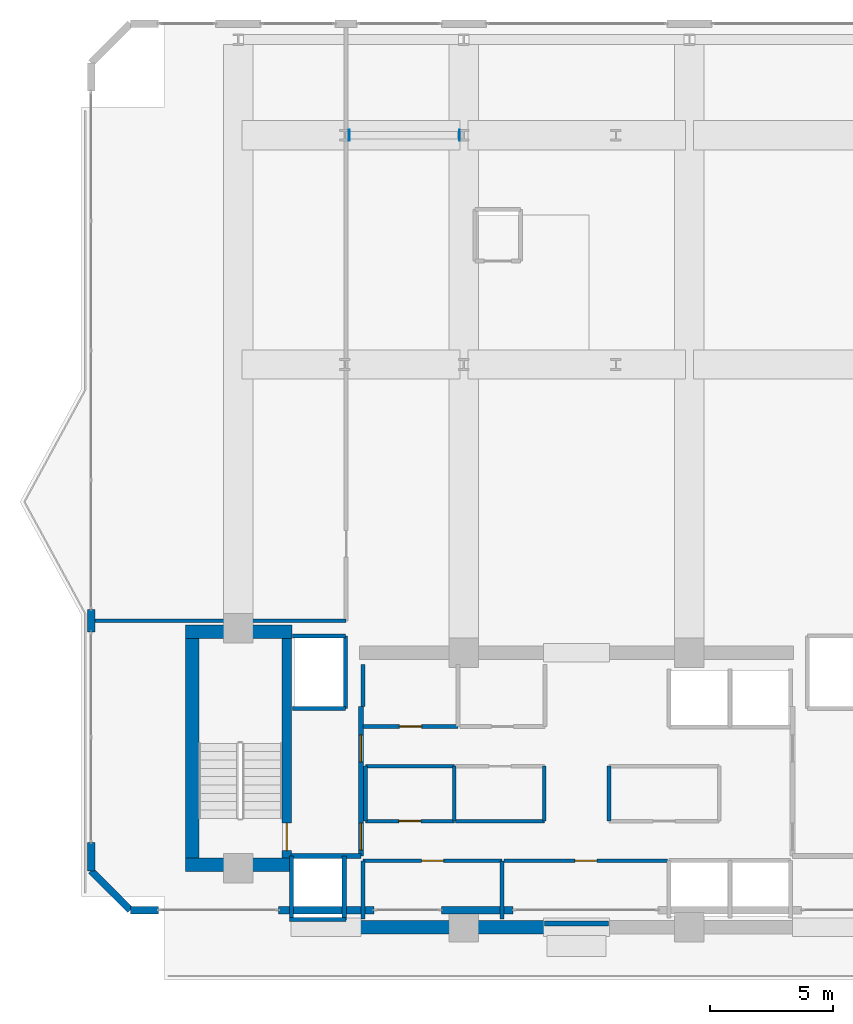
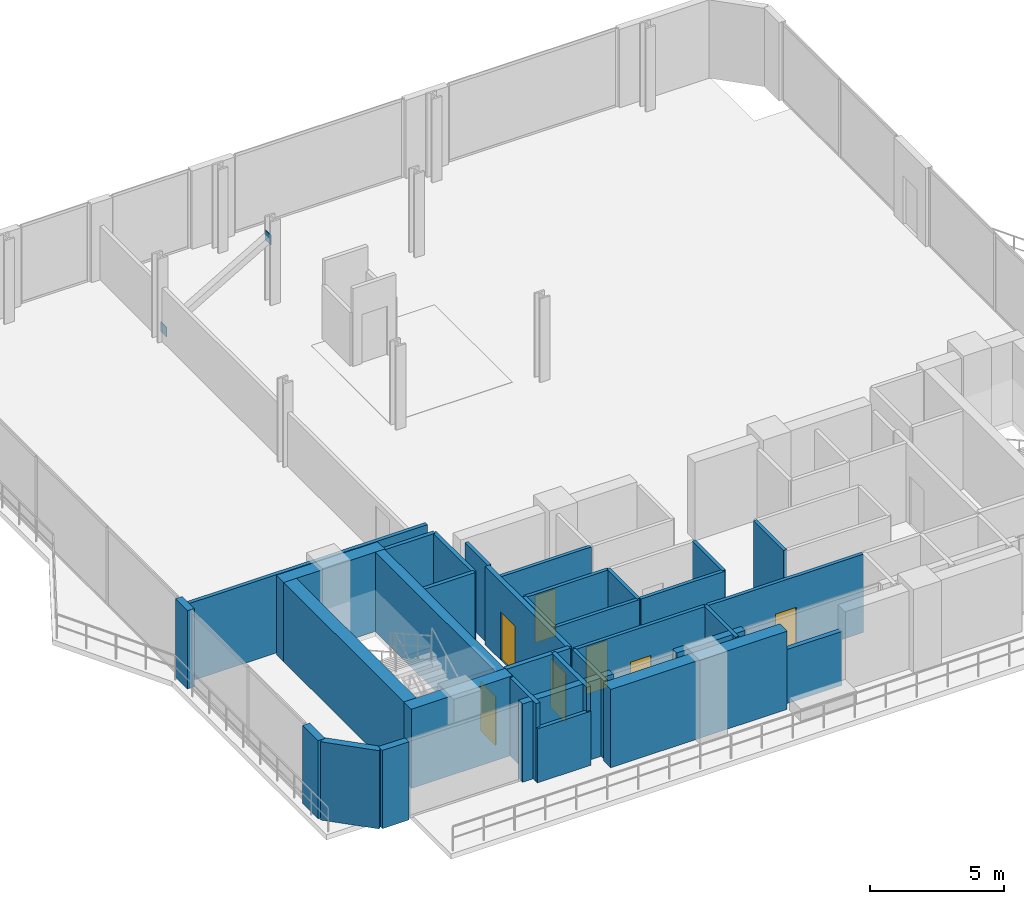
# One storey, part 22 of 27: 34 walls, 7 doors, 2 plates, 7 openings.
"""IFC4 building model written with IfcOpenShell, lengths in metres."""

import ifcopenshell
import ifcopenshell.guid

model = None  # the IFC model being written
_history = None  # IfcOwnerHistory: only IFC2X3 demands one
_inside = {}  # id of a spatial element -> (the spatial element, [elements in it])
_under = {}  # id of a project, library or spatial element -> (it, [spatial elements below it])
_declared = {}  # id of a project -> (the project, [libraries it declares])
_typed = {}  # id of a type object -> (the type object, [elements of that type])
_made_of = {}  # id of a material, layer set ... -> (it, [elements and type objects made of it])


def new_model(schema):
    """Start an empty IFC model of exactly this schema.

    Asked for "IFC4X3", IfcOpenShell would pick the latest addendum, in which some entities
    have other attributes; the version numbers below select the first issue.
    IFC2X3 requires an IfcOwnerHistory on every rooted entity: one is made here for all.
    """
    global model, _history
    if schema == "IFC4X3":
        model = ifcopenshell.file(schema_version=(4, 3, 0, 0))
    else:
        model = ifcopenshell.file(schema=schema)
    _inside.clear()
    _under.clear()
    _declared.clear()
    _typed.clear()
    _made_of.clear()
    _history = None
    if model.schema == "IFC2X3":
        org = make("IfcOrganization", Name="unknown")
        user = make(
            "IfcPersonAndOrganization",
            ThePerson=make("IfcPerson", FamilyName="unknown"),
            TheOrganization=org,
        )
        app = make(
            "IfcApplication",
            ApplicationDeveloper=org,
            Version="unknown",
            ApplicationFullName="unknown",
            ApplicationIdentifier="unknown",
        )
        _history = make(
            "IfcOwnerHistory",
            OwningUser=user,
            OwningApplication=app,
            ChangeAction="ADDED",
            CreationDate=0,
        )
    return model


def make(cls, **values):
    """One entity of the class cls with the attributes given. An attribute that is None is left unset."""
    return model.create_entity(
        cls, **{name: value for name, value in values.items() if value is not None}
    )


def rooted(cls, **values):
    """An entity with a GlobalId (a new one), such as an element, a storey or a relation."""
    return make(cls, GlobalId=ifcopenshell.guid.new(), OwnerHistory=_history, **values)


def si_unit(unit_type, name, prefix=None):
    """IfcSIUnit, for example si_unit("LENGTHUNIT", "METRE", prefix="MILLI")."""
    return make("IfcSIUnit", UnitType=unit_type, Prefix=prefix, Name=name)


def assignment(units):
    """IfcUnitAssignment: the units of a project."""
    return None if units is None else make("IfcUnitAssignment", Units=units)


def point(xyz):
    """IfcCartesianPoint."""
    return None if xyz is None else make("IfcCartesianPoint", Coordinates=xyz)


def direction(xyz):
    """IfcDirection."""
    return None if xyz is None else make("IfcDirection", DirectionRatios=xyz)


def frame(location, z_axis=None, x_axis=None):
    """IfcAxis2Placement3D, a coordinate frame: its origin and axes. An axis left out is left unset."""
    return make(
        "IfcAxis2Placement3D",
        Location=point(location),
        Axis=direction(z_axis),
        RefDirection=direction(x_axis),
    )


def frame_2d(location, x_axis=None):
    """IfcAxis2Placement2D, a coordinate frame in the plane: its origin and x axis."""
    return make(
        "IfcAxis2Placement2D", Location=point(location), RefDirection=direction(x_axis)
    )


def origin():
    """The frame at (0, 0, 0) with its axes left unset."""
    return frame((0.0, 0.0, 0.0))


def origin_2d():
    """The frame at (0, 0) in the plane with its x axis left unset."""
    return frame_2d((0.0, 0.0))


def place(relative_to, where):
    """IfcLocalPlacement: puts the frame where relative to a parent placement (None: the world)."""
    return make(
        "IfcLocalPlacement", PlacementRelTo=relative_to, RelativePlacement=where
    )


def context(
    kind, dimensions, precision=None, world=None, true_north=None, identifier=None
):
    """IfcGeometricRepresentationContext, for example the 3D "Model" context."""
    return make(
        "IfcGeometricRepresentationContext",
        ContextIdentifier=identifier,
        ContextType=kind,
        CoordinateSpaceDimension=dimensions,
        Precision=precision,
        WorldCoordinateSystem=world,
        TrueNorth=true_north,
    )


def subcontext(parent, identifier, kind, view, scale=None):
    """IfcGeometricRepresentationSubContext, for example "Body" below "Model"."""
    return make(
        "IfcGeometricRepresentationSubContext",
        ContextIdentifier=identifier,
        ContextType=kind,
        ParentContext=parent,
        TargetScale=scale,
        TargetView=view,
    )


def project(units=None, contexts=None):
    """IfcProject with its units and contexts."""
    return rooted(
        "IfcProject",
        Name="project",
        RepresentationContexts=contexts,
        UnitsInContext=assignment(units),
    )


def spatial(cls, under=None, at=None, **own):
    """A site, building, storey or space (cls), placed at a placement, below another one or the project."""
    s = rooted(cls, ObjectPlacement=at, **own)
    if under is not None:
        _under.setdefault(under.id(), (under, []))[1].append(s)
    return s


def profile(cls, at=None, kind="AREA", **sizes):
    """A parametric profile (cls). Its sizes go by their IFC names, for example OverallWidth=200.0."""
    return make(cls, ProfileType=kind, Position=at, **sizes)


def rectangle(**sizes):
    """IfcRectangleProfileDef."""
    return profile("IfcRectangleProfileDef", **sizes)


def extrude(swept, where, along, depth):
    """IfcExtrudedAreaSolid: the profile swept, set in the frame where, extruded along a direction by depth."""
    return make(
        "IfcExtrudedAreaSolid",
        SweptArea=swept,
        Position=where,
        ExtrudedDirection=direction(along),
        Depth=depth,
    )


def shape(context_of_items, identifier, shape_type, items):
    """IfcShapeRepresentation: the items that make up one representation, for example the "Body"."""
    return make(
        "IfcShapeRepresentation",
        ContextOfItems=context_of_items,
        RepresentationIdentifier=identifier,
        RepresentationType=shape_type,
        Items=items,
    )


def material(Name=None, Category=None):
    """IfcMaterial."""
    return make("IfcMaterial", Name=Name, Category=Category)


def layer(
    of_material, thickness, ventilated=None, Name=None, Category=None, Priority=None
):
    """IfcMaterialLayer: one layer of a wall or slab, of a material (None: an air gap)."""
    return make(
        "IfcMaterialLayer",
        Material=of_material,
        LayerThickness=thickness,
        IsVentilated=ventilated,
        Name=Name,
        Category=Category,
        Priority=Priority,
    )


def layer_set(layers, Name=None):
    """IfcMaterialLayerSet."""
    return make("IfcMaterialLayerSet", MaterialLayers=layers, LayerSetName=Name)


def made_of(thing, what):
    """Note that an element or type object is made of a material, layer set ...; save() writes the relation."""
    if what is not None:
        _made_of.setdefault(what.id(), (what, []))[1].append(thing)
    return thing


def type_object(cls, material=None, **own):
    """A type object (cls), such as IfcWallType, which elements share."""
    return made_of(rooted(cls, **own), material)


def element(
    cls,
    number,
    at=None,
    inside=None,
    cuts=None,
    type_object=None,
    material=None,
    context=None,
    identifier="Body",
    shape_type=None,
    held_by="IfcProductDefinitionShape",
    body=None,
    shapes=None,
    **own,
):
    """One element of the class cls, such as IfcWall. Its Tag is "e" and its number.

    at: its placement. inside: the storey or other place that contains it. cuts: it is an
    opening in that element (IfcRelVoidsElement). A single representation is given by context,
    identifier, shape_type and body (its items); several are given by shapes. held_by: the class
    of the entity that holds the representations. save() writes the other relations.
    """
    e = rooted(cls, Tag="e%d" % number, ObjectPlacement=at, **own)
    if body is not None:
        shapes = [shape(context, identifier, shape_type, body)]
    if shapes is not None:
        e.Representation = make(held_by, Representations=shapes)
    if inside is not None:
        _inside.setdefault(inside.id(), (inside, []))[1].append(e)
    if cuts is not None:
        rooted(
            "IfcRelVoidsElement", RelatingBuildingElement=cuts, RelatedOpeningElement=e
        )
    if type_object is not None:
        _typed.setdefault(type_object.id(), (type_object, []))[1].append(e)
    return made_of(e, material)


def fill(opening, filler):
    """IfcRelFillsElement: the door or window that sits in an opening."""
    return rooted(
        "IfcRelFillsElement",
        RelatingOpeningElement=opening,
        RelatedBuildingElement=filler,
    )


def aggregate(whole, parts):
    """IfcRelAggregates: a whole, such as a stair, and the parts it consists of."""
    return rooted("IfcRelAggregates", RelatingObject=whole, RelatedObjects=parts)


def save(model, path):
    """Write the relations noted so far, then the file.

    IfcRelAggregates (storeys below a building ...), IfcRelContainedInSpatialStructure (elements
    in a storey), IfcRelDefinesByType, IfcRelAssociatesMaterial and IfcRelDeclares: one each for
    every whole, place, type object, material and project.
    """
    for whole, parts in _under.values():
        aggregate(whole, parts)
    for where, things in _inside.values():
        rooted(
            "IfcRelContainedInSpatialStructure",
            RelatedElements=things,
            RelatingStructure=where,
        )
    for kind, things in _typed.values():
        rooted("IfcRelDefinesByType", RelatedObjects=things, RelatingType=kind)
    for what, things in _made_of.values():
        rooted("IfcRelAssociatesMaterial", RelatedObjects=things, RelatingMaterial=what)
    for by, libraries in _declared.values():
        rooted("IfcRelDeclares", RelatingContext=by, RelatedDefinitions=libraries)
    model.write(path)


model = new_model("IFC4")

# Units and contexts
model_context = context("Model", 3, precision=1e-05, world=origin(), true_north=direction((0.0, 1.0)))
body_context = subcontext(model_context, "Body", "Model", "MODEL_VIEW")
ifc_project = project(units=[si_unit("LENGTHUNIT", "METRE"), si_unit("AREAUNIT", "SQUARE_METRE"), si_unit("VOLUMEUNIT", "CUBIC_METRE"), si_unit("PLANEANGLEUNIT", "RADIAN"), si_unit("MASSUNIT", "GRAM", prefix="KILO")], contexts=[model_context])

# Site, building, storey
site_placement = place(None, origin())
site = spatial("IfcSite", under=ifc_project, at=site_placement, CompositionType="ELEMENT")
building_placement = place(site_placement, origin())
building = spatial("IfcBuilding", under=site, at=building_placement, Name="Zuhayl Quay Hotel", CompositionType="ELEMENT")
storey_placement = place(building_placement, frame((0.0, 0.0, 297.25)))
storey = spatial("IfcBuildingStorey", under=building, at=storey_placement, Name="Crown 1", CompositionType="ELEMENT", Elevation=297.25)

# Plates
ifc_material_1 = material(Name="Steel ASTM A572 Grade 50", Category="steel")
ifc_layer_1 = layer(ifc_material_1, 0.030029296875, Name="Steel ASTM A572 Grade 50", Category="steel")
ifc_layer_set_1 = layer_set([ifc_layer_1], Name="Steel ASTM A572 Grade 50")
plate_type = type_object("IfcPlateType", Name="TP_CAP_PLATE_30", PredefinedType="USERDEFINED", material=ifc_layer_set_1)
for number, where, z_axis, x_axis, name in (
    (1, (-9.2705078125, 34.449951171875, 0.1240234375), (0.0, 0.0, 1.0), (-1.0, 0.0, 0.0), "Truss Node Cap Assembly KN2"),
    (2, (-4.779541015625, 34.449951171875, 2.736083984375), (0.0, 0.0, 1.0), (1.0, 0.0, 0.0), "Truss Node Cap Assembly KN2"),
):
    element("IfcPlate", number, at=place(storey_placement, frame(where, z_axis=z_axis, x_axis=x_axis)), inside=storey, type_object=plate_type, Name=name, ObjectType="GUSSET PLATE", PredefinedType="USERDEFINED", context=body_context, shape_type="SweptSolid", body=[
        extrude(rectangle(XDim=0.030029296875, YDim=0.43994140625, at=origin_2d()), origin(), (0.0, 0.0, 1.0), 0.43994140625),
    ])

# Walls
ifc_material_2 = material(Name="Concrete C50/60", Category="concrete")
ifc_layer_2 = layer(ifc_material_2, 0.550048828125, Name="Concrete C50/60", Category="concrete")
ifc_layer_set_2 = layer_set([ifc_layer_2], Name="Concrete C50/60")
wall_type_1 = type_object("IfcWallType", Name="WL_CORE_550", PredefinedType="SHEAR", material=ifc_layer_set_2)
wall_1_placement = place(storey_placement, frame((-15.9599609375, 14.205078125, 0.0), z_axis=(0.0, 0.0, 1.0), x_axis=(1.0, 0.0, 0.0)))
element("IfcWall", 3, at=wall_1_placement, inside=storey, type_object=wall_type_1, Name="Crown 1 Core Shear Wall CW_NW", PredefinedType="SHEAR", context=body_context, shape_type="SweptSolid", body=[
    extrude(rectangle(XDim=4.35986328125, YDim=0.550048828125, at=frame_2d((2.179931640625, 0.0))), origin(), (0.0, 0.0, 1.0), 3.610107421875),
])
wall_2_placement = place(storey_placement, frame((-15.68505859375, 4.969970703125, 0.0), z_axis=(0.0, 0.0, 1.0), x_axis=(0.0, 1.0, 0.0)))
element("IfcWall", 4, at=wall_2_placement, inside=storey, type_object=wall_type_1, Name="Crown 1 Core Shear Wall CW_W", PredefinedType="SHEAR", context=body_context, shape_type="SweptSolid", body=[
    extrude(rectangle(XDim=8.9599609375, YDim=0.550048828125, at=frame_2d((4.47998046875, 0.0))), origin(), (0.0, 0.0, 1.0), 3.610107421875),
])
wall_3_placement = place(storey_placement, frame((-15.9599609375, 4.695068359375, 0.0), z_axis=(0.0, 0.0, 1.0), x_axis=(1.0, 0.0, 0.0)))
element("IfcWall", 5, at=wall_3_placement, inside=storey, type_object=wall_type_1, Name="Crown 1 Core Shear Wall CW_SW", PredefinedType="SHEAR", context=body_context, shape_type="SweptSolid", body=[
    extrude(rectangle(XDim=4.35986328125, YDim=0.550048828125, at=frame_2d((2.179931640625, 0.0))), origin(), (0.0, 0.0, 1.0), 3.610107421875),
])
wall_4_placement = place(storey_placement, frame((-8.85009765625, 2.14990234375, 0.0), z_axis=(0.0, 0.0, 1.0), x_axis=(1.0, 0.0, 0.0)))
element("IfcWall", 6, at=wall_4_placement, inside=storey, type_object=wall_type_1, Name="Crown 1 Core Shear Wall CW_SC_W", PredefinedType="SHEAR", context=body_context, shape_type="SweptSolid", body=[
    extrude(rectangle(XDim=7.60009765625, YDim=0.550048828125, at=frame_2d((3.800048828125, 0.0))), origin(), (0.0, 0.0, 1.0), 3.56005859375),
])
ifc_material_3 = material(Name="Precast concrete C45/55", Category="concrete")
ifc_layer_3 = layer(ifc_material_3, 0.300048828125, Name="Precast concrete C45/55", Category="concrete")
ifc_layer_set_3 = layer_set([ifc_layer_3], Name="Precast concrete C45/55")
wall_type_2 = type_object("IfcWallType", Name="WL_EXT_300", PredefinedType="STANDARD", material=ifc_layer_set_3)
wall_5_placement = place(storey_placement, frame((-19.800048828125, 4.449951171875, 0.0), z_axis=(0.0, 0.0, 1.0), x_axis=(0.0, 1.0, 0.0)))
element("IfcWall", 7, at=wall_5_placement, inside=storey, type_object=wall_type_2, Name="Crown 1 Exterior Precast Wall ENV_CR1_E1_EW1", PredefinedType="STANDARD", context=body_context, shape_type="SweptSolid", body=[
    extrude(rectangle(XDim=1.150146484375, YDim=0.300048828125, at=frame_2d((0.5751953125, 0.0))), origin(), (0.0, 0.0, 1.0), 3.56005859375),
])
wall_6_placement = place(storey_placement, frame((-19.800048828125, 14.199951171875, 0.0), z_axis=(0.0, 0.0, 1.0), x_axis=(0.0, 1.0, 0.0)))
element("IfcWall", 8, at=wall_6_placement, inside=storey, type_object=wall_type_2, Name="Crown 1 Exterior Precast Wall ENV_CR1_E1_EW2", PredefinedType="STANDARD", context=body_context, shape_type="SweptSolid", body=[
    extrude(rectangle(XDim=0.900146484375, YDim=0.300048828125, at=frame_2d((0.4501953125, 0.0))), origin(), (0.0, 0.0, 1.0), 3.56005859375),
])
wall_7_placement = place(storey_placement, frame((-2.590087890625, 2.85009765625, 0.0), z_axis=(0.0, 0.0, 1.0), x_axis=(-1.0, 0.0, 0.0)))
element("IfcWall", 9, at=wall_7_placement, inside=storey, type_object=wall_type_2, Name="Crown 1 Exterior Precast Wall ENV_CR1_E7_EW3", PredefinedType="STANDARD", context=body_context, shape_type="SweptSolid", body=[
    extrude(rectangle(XDim=2.929931640625, YDim=0.300048828125, at=frame_2d((1.46484375, 0.0))), origin(), (0.0, 0.0, 1.0), 3.56005859375),
])
wall_8_placement = place(storey_placement, frame((-8.260009765625, 2.85009765625, 0.0), z_axis=(0.0, 0.0, 1.0), x_axis=(-1.0, 0.0, 0.0)))
element("IfcWall", 10, at=wall_8_placement, inside=storey, type_object=wall_type_2, Name="Crown 1 Exterior Precast Wall ENV_CR1_E7_EW4", PredefinedType="STANDARD", context=body_context, shape_type="SweptSolid", body=[
    extrude(rectangle(XDim=3.89990234375, YDim=0.300048828125, at=frame_2d((1.949951171875, 0.0))), origin(), (0.0, 0.0, 1.0), 3.56005859375),
])
wall_9_placement = place(storey_placement, frame((-17.050048828125, 2.85009765625, 0.0), z_axis=(0.0, 0.0, 1.0), x_axis=(-1.0, 0.0, 0.0)))
element("IfcWall", 11, at=wall_9_placement, inside=storey, type_object=wall_type_2, Name="Crown 1 Exterior Precast Wall ENV_CR1_E7_EW5", PredefinedType="STANDARD", context=body_context, shape_type="SweptSolid", body=[
    extrude(rectangle(XDim=1.14990234375, YDim=0.300048828125, at=frame_2d((0.574951171875, 0.0))), origin(), (0.0, 0.0, 1.0), 3.56005859375),
])
wall_10_placement = place(storey_placement, frame((-18.199951171875, 2.85009765625, 0.0), z_axis=(0.0, 0.0, 1.0), x_axis=(-0.707160727918, 0.707052830339, 0.0)))
element("IfcWall", 12, at=wall_10_placement, inside=storey, type_object=wall_type_2, Name="Crown 1 Exterior Precast Wall ENV_CR1_EW8", PredefinedType="STANDARD", context=body_context, shape_type="SweptSolid", body=[
    extrude(rectangle(XDim=2.2626953125, YDim=0.300048828125, at=frame_2d((1.13134765625, 0.0))), origin(), (0.0, 0.0, 1.0), 3.56005859375),
])

# Wall, opening, door
ifc_material_4 = material(Name="Acoustic Gypsum Partition STC-58")
ifc_layer_4 = layer(ifc_material_4, 0.14990234375, Name="Acoustic Gypsum Partition STC-58")
ifc_layer_set_4 = layer_set([ifc_layer_4], Name="Acoustic Gypsum Partition STC-58")
wall_type_3 = type_object("IfcWallType", Name="WL_PART_150", PredefinedType="PARTITIONING", material=ifc_layer_set_4)
wall_11_placement = place(storey_placement, frame((-8.7099609375, 4.860107421875, 0.0), z_axis=(0.0, 0.0, 1.0), x_axis=(1.0, 0.0, 0.0)))
wall_11 = element("IfcWall", 13, at=wall_11_placement, inside=storey, type_object=wall_type_3, Name="Crown 1 Partition IW_Crown 1_FMP_SW_N", PredefinedType="PARTITIONING", context=body_context, shape_type="SweptSolid", body=[
    extrude(rectangle(XDim=5.669921875, YDim=0.14990234375, at=frame_2d((2.8349609375, 0.0))), origin(), (0.0, 0.0, 1.0), 3.56005859375),
])
opening_1_placement = place(wall_11_placement, frame((2.385009765625, 0.0, 0.0)))
opening_1 = element("IfcOpeningElement", 14, at=opening_1_placement, cuts=wall_11, Name="Opening D06", PredefinedType="OPENING", context=body_context, shape_type="SweptSolid", body=[
    extrude(rectangle(XDim=0.89990234375, YDim=2.14990234375, at=frame_2d((0.449951171875, 1.074951171875))), frame((0.0, 0.0849609375, 0.0), z_axis=(0.0, -1.0, 0.0), x_axis=(1.0, 0.0, 0.0)), (0.0, 0.0, 1.0), 0.169921875),
])
ifc_material_5 = material(Name="Steel ASTM A992 Grade 50", Category="steel")
door_type_1 = type_object("IfcDoorType", Name="DR_INT_900", OperationType="NOTDEFINED", PredefinedType="DOOR", material=ifc_material_5)
door_1_placement = place(opening_1_placement, origin())
door_1 = element("IfcDoor", 15, at=door_1_placement, inside=storey, type_object=door_type_1, Name="Crown 1 Sommelier Cellar Pantry Door", OperationType="SINGLE_SWING_LEFT", OverallHeight=2.14990234375, OverallWidth=0.89990234375, PredefinedType="DOOR", context=body_context, shape_type="SweptSolid", body=[
    extrude(rectangle(XDim=0.89990234375, YDim=2.14990234375, at=frame_2d((0.449951171875, 1.074951171875))), frame((0.0, 0.02490234375, 0.0), z_axis=(0.0, -1.0, 0.0), x_axis=(1.0, 0.0, 0.0)), (0.0, 0.0, 1.0), 0.050048828125),
])
fill(opening_1, door_1)

wall_12_placement = place(storey_placement, frame((-2.9599609375, 4.860107421875, 0.0), z_axis=(0.0, 0.0, 1.0), x_axis=(1.0, 0.0, 0.0)))
wall_12 = element("IfcWall", 16, at=wall_12_placement, inside=storey, type_object=wall_type_3, Name="Crown 1 Partition IW_Crown 1_FMP_SE_N", PredefinedType="PARTITIONING", context=body_context, shape_type="SweptSolid", body=[
    extrude(rectangle(XDim=6.669921875, YDim=0.14990234375, at=frame_2d((3.3349609375, 0.0))), origin(), (0.0, 0.0, 1.0), 3.56005859375),
])
opening_2_placement = place(wall_12_placement, frame((2.885009765625, 0.0, 0.0)))
opening_2 = element("IfcOpeningElement", 17, at=opening_2_placement, cuts=wall_12, Name="Opening D06", PredefinedType="OPENING", context=body_context, shape_type="SweptSolid", body=[
    extrude(rectangle(XDim=0.89990234375, YDim=2.14990234375, at=frame_2d((0.449951171875, 1.074951171875))), frame((0.0, 0.0849609375, 0.0), z_axis=(0.0, -1.0, 0.0), x_axis=(1.0, 0.0, 0.0)), (0.0, 0.0, 1.0), 0.169921875),
])
door_2_placement = place(opening_2_placement, origin())
door_2 = element("IfcDoor", 18, at=door_2_placement, inside=storey, type_object=door_type_1, Name="Crown 1 East Butler Store Door", OperationType="SINGLE_SWING_RIGHT", OverallHeight=2.14990234375, OverallWidth=0.89990234375, PredefinedType="DOOR", context=body_context, shape_type="SweptSolid", body=[
    extrude(rectangle(XDim=0.89990234375, YDim=2.14990234375, at=frame_2d((0.449951171875, 1.074951171875))), frame((0.0, 0.02490234375, 0.0), z_axis=(0.0, -1.0, 0.0), x_axis=(1.0, 0.0, 0.0)), (0.0, 0.0, 1.0), 0.050048828125),
])
fill(opening_2, door_2)

wall_13_placement = place(storey_placement, frame((-8.7099609375, 10.340087890625, 0.0), z_axis=(0.0, 0.0, 1.0), x_axis=(1.0, 0.0, 0.0)))
wall_13 = element("IfcWall", 19, at=wall_13_placement, inside=storey, type_object=wall_type_3, Name="Crown 1 Partition IW_Crown 1_FMP_NW1_S", PredefinedType="PARTITIONING", context=body_context, shape_type="SweptSolid", body=[
    extrude(rectangle(XDim=3.869873046875, YDim=0.14990234375, at=frame_2d((1.93505859375, 0.0))), origin(), (0.0, 0.0, 1.0), 3.56005859375),
])
opening_3_placement = place(wall_13_placement, frame((1.485107421875, 0.0, 0.0)))
opening_3 = element("IfcOpeningElement", 20, at=opening_3_placement, cuts=wall_13, Name="Opening D06", PredefinedType="OPENING", context=body_context, shape_type="SweptSolid", body=[
    extrude(rectangle(XDim=0.89990234375, YDim=2.14990234375, at=frame_2d((0.449951171875, 1.074951171875))), frame((0.0, 0.0849609375, 0.0), z_axis=(0.0, -1.0, 0.0), x_axis=(1.0, 0.0, 0.0)), (0.0, 0.0, 1.0), 0.169921875),
])
door_3_placement = place(opening_3_placement, origin())
door_3 = element("IfcDoor", 21, at=door_3_placement, inside=storey, type_object=door_type_1, Name="Crown 1 High-Zone Valet Store Door", OperationType="SINGLE_SWING_LEFT", OverallHeight=2.14990234375, OverallWidth=0.89990234375, PredefinedType="DOOR", context=body_context, shape_type="SweptSolid", body=[
    extrude(rectangle(XDim=0.89990234375, YDim=2.14990234375, at=frame_2d((0.449951171875, 1.074951171875))), frame((0.0, 0.02490234375, 0.0), z_axis=(0.0, -1.0, 0.0), x_axis=(1.0, 0.0, 0.0)), (0.0, 0.0, 1.0), 0.050048828125),
])
fill(opening_3, door_3)

wall_14_placement = place(storey_placement, frame((-8.610107421875, 6.47998046875, 0.0), z_axis=(0.0, 0.0, 1.0), x_axis=(1.0, 0.0, 0.0)))
wall_14 = element("IfcWall", 22, at=wall_14_placement, inside=storey, type_object=wall_type_3, Name="Crown 1 Partition IW_Crown 1_CORE_SW_S", PredefinedType="PARTITIONING", context=body_context, shape_type="SweptSolid", body=[
    extrude(rectangle(XDim=3.6201171875, YDim=0.14990234375, at=frame_2d((1.81005859375, 0.0))), origin(), (0.0, 0.0, 1.0), 3.56005859375),
])
opening_4_placement = place(wall_14_placement, frame((1.360107421875, 0.0, 0.0)))
opening_4 = element("IfcOpeningElement", 23, at=opening_4_placement, cuts=wall_14, Name="Opening D06", PredefinedType="OPENING", context=body_context, shape_type="SweptSolid", body=[
    extrude(rectangle(XDim=0.89990234375, YDim=2.14990234375, at=frame_2d((0.449951171875, 1.074951171875))), frame((0.0, 0.0849609375, 0.0), z_axis=(0.0, -1.0, 0.0), x_axis=(1.0, 0.0, 0.0)), (0.0, 0.0, 1.0), 0.169921875),
])
door_4_placement = place(opening_4_placement, origin())
door_4 = element("IfcDoor", 24, at=door_4_placement, inside=storey, type_object=door_type_1, Name="Crown 1 Floor Switchgear Closet Door", OperationType="SINGLE_SWING_LEFT", OverallHeight=2.14990234375, OverallWidth=0.89990234375, PredefinedType="DOOR", context=body_context, shape_type="SweptSolid", body=[
    extrude(rectangle(XDim=0.89990234375, YDim=2.14990234375, at=frame_2d((0.449951171875, 1.074951171875))), frame((0.0, 0.02490234375, 0.0), z_axis=(0.0, -1.0, 0.0), x_axis=(1.0, 0.0, 0.0)), (0.0, 0.0, 1.0), 0.050048828125),
])
fill(opening_4, door_4)

# Walls
for number, where, z_axis, x_axis, name in (
    (25, (-8.7099609375, 2.489990234375, 0.0), (0.0, 0.0, 1.0), (0.0, 1.0, 0.0), "Crown 1 Partition IW_Crown 1_FMP_SW_W"),
    (26, (-3.0400390625, 2.489990234375, 0.0), (0.0, 0.0, 1.0), (0.0, 1.0, 0.0), "Crown 1 Partition IW_Crown 1_FMP_SW_E"),
):
    element("IfcWall", number, at=place(storey_placement, frame(where, z_axis=z_axis, x_axis=x_axis)), inside=storey, type_object=wall_type_3, Name=name, PredefinedType="PARTITIONING", context=body_context, shape_type="SweptSolid", body=[
        extrude(rectangle(XDim=2.3701171875, YDim=0.14990234375, at=frame_2d((1.18505859375, 0.0))), origin(), (0.0, 0.0, 1.0), 3.56005859375),
    ])
wall_15_placement = place(storey_placement, frame((-8.7099609375, 11.14990234375, 0.0), z_axis=(0.0, 0.0, 1.0), x_axis=(0.0, 1.0, 0.0)))
element("IfcWall", 27, at=wall_15_placement, inside=storey, type_object=wall_type_3, Name="Crown 1 Partition IW_Crown 1_FMP_NW1_W", PredefinedType="PARTITIONING", context=body_context, shape_type="SweptSolid", body=[
    extrude(rectangle(XDim=1.710205078125, YDim=0.14990234375, at=frame_2d((0.85498046875, 0.0))), origin(), (0.0, 0.0, 1.0), 3.56005859375),
])
wall_16_placement = place(storey_placement, frame((-8.610107421875, 8.719970703125, 0.0), z_axis=(0.0, 0.0, 1.0), x_axis=(1.0, 0.0, 0.0)))
element("IfcWall", 28, at=wall_16_placement, inside=storey, type_object=wall_type_3, Name="Crown 1 Partition IW_Crown 1_CORE_SW_N", PredefinedType="PARTITIONING", context=body_context, shape_type="SweptSolid", body=[
    extrude(rectangle(XDim=3.6201171875, YDim=0.14990234375, at=frame_2d((1.81005859375, 0.0))), origin(), (0.0, 0.0, 1.0), 3.56005859375),
])
for number, where, z_axis, x_axis, name in (
    (29, (-8.610107421875, 6.47998046875, 0.0), (0.0, 0.0, 1.0), (0.0, 1.0, 0.0), "Crown 1 Partition IW_Crown 1_CORE_SW_W"),
    (30, (-4.989990234375, 6.47998046875, 0.0), (0.0, 0.0, 1.0), (0.0, 1.0, 0.0), "Crown 1 Partition IW_Crown 1_CORE_SW_E"),
):
    element("IfcWall", number, at=place(storey_placement, frame(where, z_axis=z_axis, x_axis=x_axis)), inside=storey, type_object=wall_type_3, Name=name, PredefinedType="PARTITIONING", context=body_context, shape_type="SweptSolid", body=[
        extrude(rectangle(XDim=2.239990234375, YDim=0.14990234375, at=frame_2d((1.1201171875, 0.0))), origin(), (0.0, 0.0, 1.0), 3.56005859375),
    ])
wall_17_placement = place(storey_placement, frame((-4.929931640625, 6.47998046875, 0.0), z_axis=(0.0, 0.0, 1.0), x_axis=(1.0, 0.0, 0.0)))
element("IfcWall", 31, at=wall_17_placement, inside=storey, type_object=wall_type_3, Name="Crown 1 Partition IW_Crown 1_CORE_BM_S", PredefinedType="PARTITIONING", context=body_context, shape_type="SweptSolid", body=[
    extrude(rectangle(XDim=3.60986328125, YDim=0.14990234375, at=frame_2d((1.804931640625, 0.0))), origin(), (0.0, 0.0, 1.0), 3.56005859375),
])
for number, where, z_axis, x_axis, name in (
    (32, (-1.320068359375, 6.47998046875, 0.0), (0.0, 0.0, 1.0), (0.0, 1.0, 0.0), "Crown 1 Partition IW_Crown 1_CORE_BM_E"),
    (33, (1.320068359375, 6.47998046875, 0.0), (0.0, 0.0, 1.0), (0.0, 1.0, 0.0), "Crown 1 Partition IW_Crown 1_CORE_PN_W"),
):
    element("IfcWall", number, at=place(storey_placement, frame(where, z_axis=z_axis, x_axis=x_axis)), inside=storey, type_object=wall_type_3, Name=name, PredefinedType="PARTITIONING", context=body_context, shape_type="SweptSolid", body=[
        extrude(rectangle(XDim=2.239990234375, YDim=0.14990234375, at=frame_2d((1.1201171875, 0.0))), origin(), (0.0, 0.0, 1.0), 3.56005859375),
    ])
ifc_layer_5 = layer(ifc_material_4, 0.159912109375, Name="Acoustic Gypsum Partition STC-58")
ifc_layer_set_5 = layer_set([ifc_layer_5], Name="Acoustic Gypsum Partition STC-58")
wall_type_4 = type_object("IfcWallType", Name="WL_PART_CORR_160", PredefinedType="PARTITIONING", material=ifc_layer_set_5)
wall_18_placement = place(storey_placement, frame((-19.739990234375, 14.64990234375, 0.0), z_axis=(0.0, 0.0, 1.0), x_axis=(1.0, 0.0, 0.0)))
element("IfcWall", 34, at=wall_18_placement, inside=storey, type_object=wall_type_4, Name="Crown 1 Partition IW_CR1_PLT_S", PredefinedType="PARTITIONING", context=body_context, shape_type="SweptSolid", body=[
    extrude(rectangle(XDim=10.340087890625, YDim=0.159912109375, at=frame_2d((5.169921875, 0.0))), origin(), (0.0, 0.0, 1.0), 3.56005859375),
])
ifc_material_6 = material(Name="Gypsum Fireboard Assembly EI-90")
ifc_layer_6 = layer(ifc_material_6, 0.1650390625, Name="Gypsum Fireboard Assembly EI-90")
ifc_layer_set_6 = layer_set([ifc_layer_6], Name="Gypsum Fireboard Assembly EI-90")
wall_type_5 = type_object("IfcWallType", Name="WL_PART_SHAFT_160", PredefinedType="PARTITIONING", material=ifc_layer_set_6)
wall_19_placement = place(storey_placement, frame((-11.580078125, 11.070068359375, 0.0), z_axis=(0.0, 0.0, 1.0), x_axis=(1.0, 0.0, 0.0)))
element("IfcWall", 35, at=wall_19_placement, inside=storey, type_object=wall_type_5, Name="Crown 1 Partition IW_Crown 1_SH_FL1_F", PredefinedType="PARTITIONING", context=body_context, shape_type="SweptSolid", body=[
    extrude(rectangle(XDim=2.16015625, YDim=0.1650390625, at=frame_2d((1.080078125, 0.0))), origin(), (0.0, 0.0, 1.0), 3.56005859375),
])
wall_20_placement = place(storey_placement, frame((-9.419921875, 11.070068359375, 0.0), z_axis=(0.0, 0.0, 1.0), x_axis=(0.0, 1.0, 0.0)))
element("IfcWall", 36, at=wall_20_placement, inside=storey, type_object=wall_type_5, Name="Crown 1 Partition IW_Crown 1_SH_FL1_E", PredefinedType="PARTITIONING", context=body_context, shape_type="SweptSolid", body=[
    extrude(rectangle(XDim=2.9599609375, YDim=0.1650390625, at=frame_2d((1.47998046875, 0.0))), origin(), (0.0, 0.0, 1.0), 3.56005859375),
])
wall_21_placement = place(storey_placement, frame((-11.580078125, 14.030029296875, 0.0), z_axis=(0.0, 0.0, 1.0), x_axis=(1.0, 0.0, 0.0)))
element("IfcWall", 37, at=wall_21_placement, inside=storey, type_object=wall_type_5, Name="Crown 1 Partition IW_Crown 1_SH_FL1_B", PredefinedType="PARTITIONING", context=body_context, shape_type="SweptSolid", body=[
    extrude(rectangle(XDim=2.16015625, YDim=0.1650390625, at=frame_2d((1.080078125, 0.0))), origin(), (0.0, 0.0, 1.0), 3.56005859375),
])
wall_22_placement = place(storey_placement, frame((-11.6298828125, 2.469970703125, 0.0), z_axis=(0.0, 0.0, 1.0), x_axis=(0.0, 1.0, 0.0)))
element("IfcWall", 38, at=wall_22_placement, inside=storey, type_object=wall_type_5, Name="Crown 1 Partition IW_Crown 1_RISER_W", PredefinedType="PARTITIONING", context=body_context, shape_type="SweptSolid", body=[
    extrude(rectangle(XDim=2.580078125, YDim=0.1650390625, at=frame_2d((1.2900390625, 0.0))), origin(), (0.0, 0.0, 1.0), 3.56005859375),
])
wall_23_placement = place(storey_placement, frame((-11.7099609375, 2.469970703125, 0.0), z_axis=(0.0, 0.0, 1.0), x_axis=(1.0, 0.0, 0.0)))
element("IfcWall", 39, at=wall_23_placement, inside=storey, type_object=wall_type_5, Name="Crown 1 Partition IW_Crown 1_RISER_S", PredefinedType="PARTITIONING", context=body_context, shape_type="SweptSolid", body=[
    extrude(rectangle(XDim=2.31005859375, YDim=0.1650390625, at=frame_2d((1.155029296875, 0.0))), origin(), (0.0, 0.0, 1.0), 2.4599609375),
])
ifc_layer_7 = layer(ifc_material_6, 0.179931640625, Name="Gypsum Fireboard Assembly EI-90")
ifc_layer_set_7 = layer_set([ifc_layer_7], Name="Gypsum Fireboard Assembly EI-90")
wall_type_6 = type_object("IfcWallType", Name="WL_PART_SHAFT_180", PredefinedType="PARTITIONING", material=ifc_layer_set_7)
wall_24_placement = place(storey_placement, frame((-9.469970703125, 2.449951171875, 0.0), z_axis=(0.0, 0.0, 1.0), x_axis=(0.0, 1.0, 0.0)))
element("IfcWall", 40, at=wall_24_placement, inside=storey, type_object=wall_type_6, Name="Crown 1 Partition IW_Crown 1_RISER_E", PredefinedType="PARTITIONING", context=body_context, shape_type="SweptSolid", body=[
    extrude(rectangle(XDim=2.60009765625, YDim=0.179931640625, at=frame_2d((1.300048828125, 0.0))), origin(), (0.0, 0.0, 1.0), 3.56005859375),
])

# Wall, openings, doors
ifc_material_7 = material(Name="Gypsum Fireboard Assembly EI-120")
ifc_layer_8 = layer(ifc_material_7, 0.199951171875, Name="Gypsum Fireboard Assembly EI-120")
ifc_layer_set_8 = layer_set([ifc_layer_8], Name="Gypsum Fireboard Assembly EI-120")
wall_type_7 = type_object("IfcWallType", Name="WL_PART_SHAFT_200", PredefinedType="PARTITIONING", material=ifc_layer_set_8)
wall_25_placement = place(storey_placement, frame((-8.800048828125, 5.050048828125, 0.0), z_axis=(0.0, 0.0, 1.0), x_axis=(0.0, 1.0, 0.0)))
wall_25 = element("IfcWall", 41, at=wall_25_placement, inside=storey, type_object=wall_type_7, Name="Crown 1 Partition IW_Crown 1_FSAE_W_E", PredefinedType="PARTITIONING", context=body_context, shape_type="SweptSolid", body=[
    extrude(rectangle(XDim=6.099853515625, YDim=0.199951171875, at=frame_2d((3.0498046875, 0.0))), origin(), (0.0, 0.0, 1.0), 3.56005859375),
])
opening_5_placement = place(wall_25_placement, frame((0.25, 0.0, 0.0)))
opening_5 = element("IfcOpeningElement", 42, at=opening_5_placement, cuts=wall_25, Name="Opening D02", PredefinedType="OPENING", context=body_context, shape_type="SweptSolid", body=[
    extrude(rectangle(XDim=1.10009765625, YDim=2.199951171875, at=frame_2d((0.550048828125, 1.10009765625))), frame((0.0, 0.10986328125, 0.0), z_axis=(0.0, -1.0, 0.0), x_axis=(1.0, 0.0, 0.0)), (0.0, 0.0, 1.0), 0.219970703125),
])
opening_6_placement = place(wall_25_placement, frame((3.85009765625, 0.0, 0.0)))
opening_6 = element("IfcOpeningElement", 43, at=opening_6_placement, cuts=wall_25, Name="Opening D02", PredefinedType="OPENING", context=body_context, shape_type="SweptSolid", body=[
    extrude(rectangle(XDim=1.10009765625, YDim=2.199951171875, at=frame_2d((0.550048828125, 1.10009765625))), frame((0.0, 0.10986328125, 0.0), z_axis=(0.0, -1.0, 0.0), x_axis=(1.0, 0.0, 0.0)), (0.0, 0.0, 1.0), 0.219970703125),
])
door_type_2 = type_object("IfcDoorType", Name="DR_FIRE_90_1100", OperationType="NOTDEFINED", PredefinedType="DOOR", material=ifc_material_5)
door_5_placement = place(opening_5_placement, origin())
door_5 = element("IfcDoor", 44, at=door_5_placement, inside=storey, type_object=door_type_2, Name="Crown 1 FSAE Lobby West South Entry Door", OperationType="SINGLE_SWING_LEFT", OverallHeight=2.199951171875, OverallWidth=1.10009765625, PredefinedType="DOOR", context=body_context, shape_type="SweptSolid", body=[
    extrude(rectangle(XDim=1.10009765625, YDim=2.199951171875, at=frame_2d((0.550048828125, 1.10009765625))), frame((0.0, 0.02490234375, 0.0), z_axis=(0.0, -1.0, 0.0), x_axis=(1.0, 0.0, 0.0)), (0.0, 0.0, 1.0), 0.050048828125),
])
fill(opening_5, door_5)
door_6_placement = place(opening_6_placement, origin())
door_6 = element("IfcDoor", 45, at=door_6_placement, inside=storey, type_object=door_type_2, Name="Crown 1 FSAE Lobby West North Entry Door", OperationType="SINGLE_SWING_RIGHT", OverallHeight=2.199951171875, OverallWidth=1.10009765625, PredefinedType="DOOR", context=body_context, shape_type="SweptSolid", body=[
    extrude(rectangle(XDim=1.10009765625, YDim=2.199951171875, at=frame_2d((0.550048828125, 1.10009765625))), frame((0.0, 0.02490234375, 0.0), z_axis=(0.0, -1.0, 0.0), x_axis=(1.0, 0.0, 0.0)), (0.0, 0.0, 1.0), 0.050048828125),
])
fill(opening_6, door_6)

# Walls
wall_26_placement = place(storey_placement, frame((-11.64990234375, 5.050048828125, 0.0), z_axis=(0.0, 0.0, 1.0), x_axis=(1.0, 0.0, 0.0)))
element("IfcWall", 46, at=wall_26_placement, inside=storey, type_object=wall_type_7, Name="Crown 1 Partition IW_Crown 1_FSAE_W_S", PredefinedType="PARTITIONING", context=body_context, shape_type="SweptSolid", body=[
    extrude(rectangle(XDim=2.849853515625, YDim=0.199951171875, at=frame_2d((1.4248046875, 0.0))), origin(), (0.0, 0.0, 1.0), 3.56005859375),
])
wall_27_placement = place(storey_placement, frame((-1.300048828125, 2.300048828125, 0.0), z_axis=(0.0, 0.0, 1.0), x_axis=(1.0, 0.0, 0.0)))
element("IfcWall", 47, at=wall_27_placement, inside=storey, type_object=wall_type_7, Name="Crown 1 Partition IW_Crown 1_CORE_SCM", PredefinedType="PARTITIONING", context=body_context, shape_type="SweptSolid", body=[
    extrude(rectangle(XDim=2.60009765625, YDim=0.199951171875, at=frame_2d((1.300048828125, 0.0))), origin(), (0.0, 0.0, 1.0), 2.4599609375),
])

# Wall, opening, door
ifc_material_8 = material(Name="Concrete C60/75", Category="concrete")
ifc_layer_9 = layer(ifc_material_8, 0.39990234375, Name="Concrete C60/75", Category="concrete")
ifc_layer_set_9 = layer_set([ifc_layer_9], Name="Concrete C60/75")
wall_type_8 = type_object("IfcWallType", Name="WL_STAIR_400", PredefinedType="SHEAR", material=ifc_layer_set_9)
wall_28_placement = place(storey_placement, frame((-11.820068359375, 4.969970703125, 0.0), z_axis=(0.0, 0.0, 1.0), x_axis=(0.0, 1.0, 0.0)))
wall_28 = element("IfcWall", 48, at=wall_28_placement, inside=storey, type_object=wall_type_8, Name="Crown 1 Core Shear Wall SW_ST1", PredefinedType="SHEAR", context=body_context, shape_type="SweptSolid", body=[
    extrude(rectangle(XDim=8.9599609375, YDim=0.39990234375, at=frame_2d((4.47998046875, 0.0))), origin(), (0.0, 0.0, 1.0), 3.610107421875),
])
opening_7_placement = place(wall_28_placement, frame((0.31005859375, 0.0, 0.0)))
opening_7 = element("IfcOpeningElement", 49, at=opening_7_placement, cuts=wall_28, Name="Opening D01", PredefinedType="OPENING", context=body_context, shape_type="SweptSolid", body=[
    extrude(rectangle(XDim=1.1201171875, YDim=2.219970703125, at=frame_2d((0.56005859375, 1.10986328125))), frame((0.0, 0.2099609375, 0.0), z_axis=(0.0, -1.0, 0.0), x_axis=(1.0, 0.0, 0.0)), (0.0, 0.0, 1.0), 0.419921875),
])
door_type_3 = type_object("IfcDoorType", Name="DR_STAIR_90_1100", OperationType="NOTDEFINED", PredefinedType="DOOR", material=ifc_material_5)
door_7_placement = place(opening_7_placement, origin())
door_7 = element("IfcDoor", 50, at=door_7_placement, inside=storey, type_object=door_type_3, Name="Crown 1 Smokeproof Exit Stair ST1 Door", OperationType="SINGLE_SWING_LEFT", OverallHeight=2.219970703125, OverallWidth=1.1201171875, PredefinedType="DOOR", context=body_context, shape_type="SweptSolid", body=[
    extrude(rectangle(XDim=1.1201171875, YDim=2.219970703125, at=frame_2d((0.56005859375, 1.10986328125))), frame((0.0, 0.02490234375, 0.0), z_axis=(0.0, -1.0, 0.0), x_axis=(1.0, 0.0, 0.0)), (0.0, 0.0, 1.0), 0.050048828125),
])
fill(opening_7, door_7)

save(model, "model.ifc")
